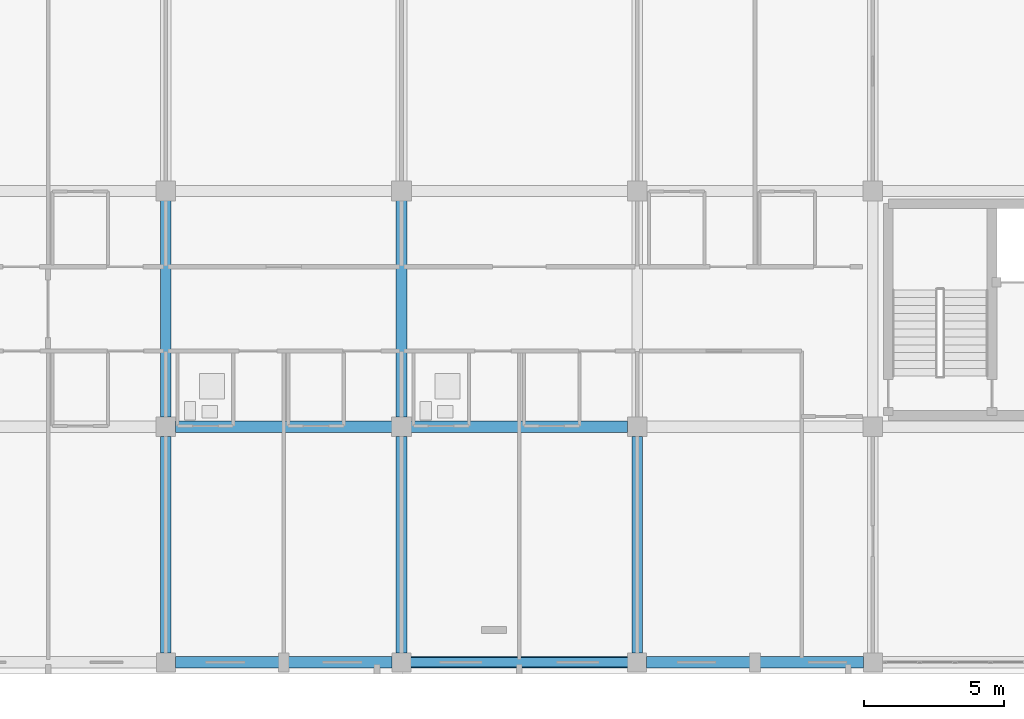
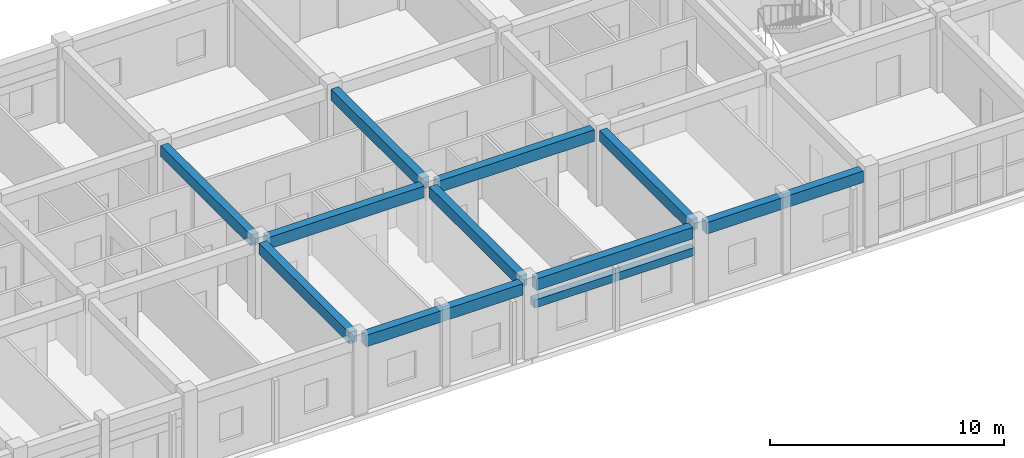
# One storey, part 24 of 140: 11 beams.
"""IFC4 building model written with IfcOpenShell, lengths in metres."""

from ifc_helpers import new_model, si_unit, direction, frame, origin, origin_2d, place, context, subcontext, project, spatial, rectangle, extrude, material, material_profile, profile_set, type_object, element, save


model = new_model("IFC4")

# Units and contexts
model_context = context("Model", 3, precision=1e-05, world=origin(), true_north=direction((0.0, 1.0)))
body_context = subcontext(model_context, "Body", "Model", "MODEL_VIEW")
ifc_project = project(units=[si_unit("LENGTHUNIT", "METRE"), si_unit("AREAUNIT", "SQUARE_METRE"), si_unit("VOLUMEUNIT", "CUBIC_METRE"), si_unit("PLANEANGLEUNIT", "RADIAN"), si_unit("MASSUNIT", "GRAM", prefix="KILO")], contexts=[model_context])

# Site, building, storey
site_placement = place(None, origin())
site = spatial("IfcSite", under=ifc_project, at=site_placement, CompositionType="ELEMENT")
building_placement = place(site_placement, origin())
building = spatial("IfcBuilding", under=site, at=building_placement, Name="Trelvath General Hospital", CompositionType="ELEMENT")
storey_placement = place(building_placement, frame((0.0, 0.0, 16.199951171875)))
storey = spatial("IfcBuildingStorey", under=building, at=storey_placement, Name="L04", CompositionType="ELEMENT", Elevation=16.199951171875)

# Beams
ifc_material_1 = material(Name="Concrete C35/45", Category="concrete")
ifc_material_profile_1 = material_profile(ifc_material_1, rectangle(XDim=0.3798828125, YDim=0.580078125, at=origin_2d()), Name="RCB380x580")
ifc_profile_set_1 = profile_set([ifc_material_profile_1], Name="Concrete C35/45")
beam_type_1 = type_object("IfcBeamType", Name="Beam RC380x580", PredefinedType="BEAM", material=ifc_profile_set_1)
beam_1_placement = place(storey_placement, frame((67.199951171875, 0.3349609375, 3.630126953125), z_axis=(0.0, 1.0, 0.0), x_axis=(-1.0, 0.0, 0.0)))
element("IfcBeam", 1, at=beam_1_placement, inside=storey, type_object=beam_type_1, Name="Grid Beam BY-408A", PredefinedType="BEAM", context=body_context, shape_type="SweptSolid", body=[
    extrude(rectangle(XDim=0.3798828125, YDim=0.580078125, at=origin_2d()), origin(), (0.0, 0.0, 1.0), 7.719970703125),
])
beam_2_placement = place(storey_placement, frame((67.199951171875, 8.7451171875, 3.630126953125), z_axis=(0.0, 1.0, 0.0), x_axis=(-1.0, 0.0, 0.0)))
element("IfcBeam", 2, at=beam_2_placement, inside=storey, type_object=beam_type_1, Name="Grid Beam BY-408B", PredefinedType="BEAM", context=body_context, shape_type="SweptSolid", body=[
    extrude(rectangle(XDim=0.3798828125, YDim=0.580078125, at=origin_2d()), origin(), (0.0, 0.0, 1.0), 7.7099609375),
])
beam_3_placement = place(storey_placement, frame((75.60009765625, 0.3349609375, 3.630126953125), z_axis=(0.0, 1.0, 0.0), x_axis=(-1.0, 0.0, 0.0)))
element("IfcBeam", 3, at=beam_3_placement, inside=storey, type_object=beam_type_1, Name="Grid Beam BY-409A", PredefinedType="BEAM", context=body_context, shape_type="SweptSolid", body=[
    extrude(rectangle(XDim=0.3798828125, YDim=0.580078125, at=origin_2d()), origin(), (0.0, 0.0, 1.0), 7.719970703125),
])
beam_4_placement = place(storey_placement, frame((75.60009765625, 8.7451171875, 3.630126953125), z_axis=(0.0, 1.0, 0.0), x_axis=(-1.0, 0.0, 0.0)))
element("IfcBeam", 4, at=beam_4_placement, inside=storey, type_object=beam_type_1, Name="Grid Beam BY-409B", PredefinedType="BEAM", context=body_context, shape_type="SweptSolid", body=[
    extrude(rectangle(XDim=0.3798828125, YDim=0.580078125, at=origin_2d()), origin(), (0.0, 0.0, 1.0), 7.7099609375),
])
beam_5_placement = place(storey_placement, frame((84.0, 0.3349609375, 3.630126953125), z_axis=(0.0, 1.0, 0.0), x_axis=(-1.0, 0.0, 0.0)))
element("IfcBeam", 5, at=beam_5_placement, inside=storey, type_object=beam_type_1, Name="Grid Beam BY-410A", PredefinedType="BEAM", context=body_context, shape_type="SweptSolid", body=[
    extrude(rectangle(XDim=0.3798828125, YDim=0.580078125, at=origin_2d()), origin(), (0.0, 0.0, 1.0), 7.719970703125),
])
ifc_material_2 = material(Name="Concrete C35/45", Category="concrete")
ifc_material_profile_2 = material_profile(ifc_material_2, rectangle(XDim=0.39990234375, YDim=0.60009765625, at=origin_2d()), Name="RCB400x600")
ifc_profile_set_2 = profile_set([ifc_material_profile_2], Name="Concrete C35/45")
beam_type_2 = type_object("IfcBeamType", Name="Beam RC400x600", PredefinedType="BEAM", material=ifc_profile_set_2)
beam_6_placement = place(storey_placement, frame((67.534912109375, 0.0, 3.6201171875), z_axis=(1.0, 0.0, 0.0), x_axis=(0.0, 1.0, 0.0)))
element("IfcBeam", 6, at=beam_6_placement, inside=storey, type_object=beam_type_2, Name="Grid Beam BX-408A", PredefinedType="BEAM", context=body_context, shape_type="SweptSolid", body=[
    extrude(rectangle(XDim=0.39990234375, YDim=0.60009765625, at=origin_2d()), origin(), (0.0, 0.0, 1.0), 7.72998046875),
])
beam_7_placement = place(storey_placement, frame((67.544921875, 8.39990234375, 3.6201171875), z_axis=(1.0, 0.0, 0.0), x_axis=(0.0, 1.0, 0.0)))
element("IfcBeam", 7, at=beam_7_placement, inside=storey, type_object=beam_type_2, Name="Grid Beam BX-408B", PredefinedType="BEAM", context=body_context, shape_type="SweptSolid", body=[
    extrude(rectangle(XDim=0.39990234375, YDim=0.60009765625, at=origin_2d()), origin(), (0.0, 0.0, 1.0), 7.7099609375),
])
beam_8_placement = place(storey_placement, frame((75.93505859375, 0.0, 3.6201171875), z_axis=(1.0, 0.0, 0.0), x_axis=(0.0, 1.0, 0.0)))
element("IfcBeam", 8, at=beam_8_placement, inside=storey, type_object=beam_type_2, Name="Grid Beam BX-409A", PredefinedType="BEAM", context=body_context, shape_type="SweptSolid", body=[
    extrude(rectangle(XDim=0.39990234375, YDim=0.60009765625, at=origin_2d()), origin(), (0.0, 0.0, 1.0), 7.72998046875),
])
beam_9_placement = place(storey_placement, frame((75.945068359375, 8.39990234375, 3.6201171875), z_axis=(1.0, 0.0, 0.0), x_axis=(0.0, 1.0, 0.0)))
element("IfcBeam", 9, at=beam_9_placement, inside=storey, type_object=beam_type_2, Name="Grid Beam BX-409B", PredefinedType="BEAM", context=body_context, shape_type="SweptSolid", body=[
    extrude(rectangle(XDim=0.39990234375, YDim=0.60009765625, at=origin_2d()), origin(), (0.0, 0.0, 1.0), 7.7099609375),
])
beam_10_placement = place(storey_placement, frame((84.3349609375, 0.0, 3.6201171875), z_axis=(1.0, 0.0, 0.0), x_axis=(0.0, 1.0, 0.0)))
element("IfcBeam", 10, at=beam_10_placement, inside=storey, type_object=beam_type_2, Name="Grid Beam BX-410A", PredefinedType="BEAM", context=body_context, shape_type="SweptSolid", body=[
    extrude(rectangle(XDim=0.39990234375, YDim=0.60009765625, at=origin_2d()), origin(), (0.0, 0.0, 1.0), 7.72998046875),
])
ifc_material_3 = material(Name="Precast concrete C40/50", Category="concrete")
ifc_material_profile_3 = material_profile(ifc_material_3, rectangle(XDim=0.35009765625, YDim=0.419921875, at=origin_2d()), Name="PCL350x420")
ifc_profile_set_3 = profile_set([ifc_material_profile_3], Name="Precast concrete C40/50")
beam_type_3 = type_object("IfcBeamType", Name="Lintel PC350x420", PredefinedType="LINTEL", material=ifc_profile_set_3)
beam_11_placement = place(storey_placement, frame((83.7451171875, 0.0, 2.6201171875), z_axis=(-1.0, 0.0, 0.0), x_axis=(0.0, -1.0, 0.0)))
element("IfcBeam", 11, at=beam_11_placement, inside=storey, type_object=beam_type_3, Name="Precast Window Brow Lintel L04-452", PredefinedType="LINTEL", context=body_context, shape_type="SweptSolid", body=[
    extrude(rectangle(XDim=0.35009765625, YDim=0.419921875, at=origin_2d()), origin(), (0.0, 0.0, 1.0), 7.89013671875),
])

save(model, "model.ifc")
